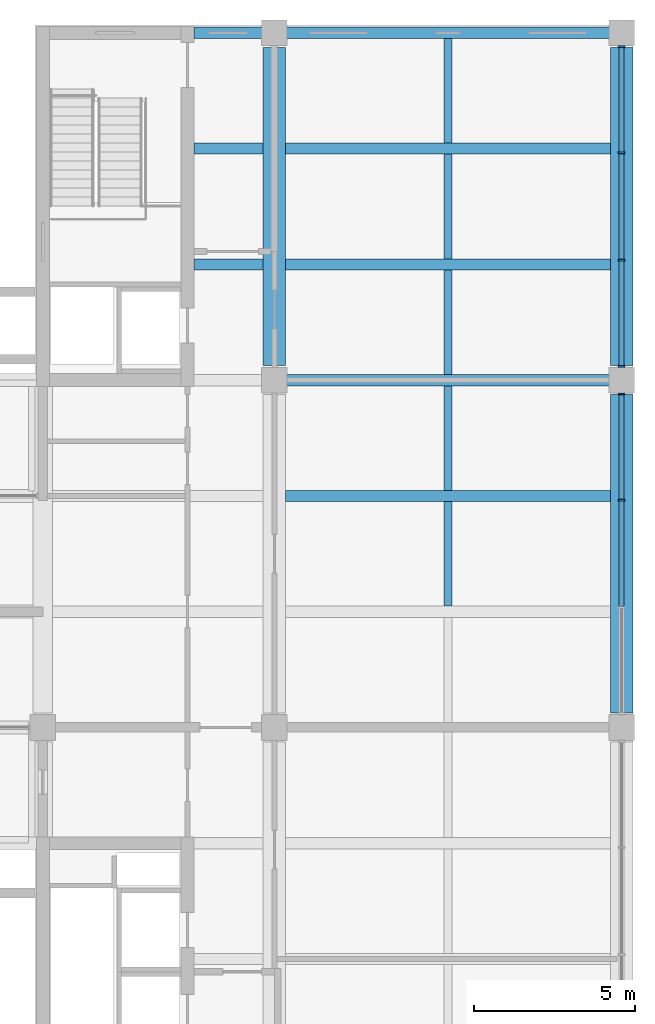
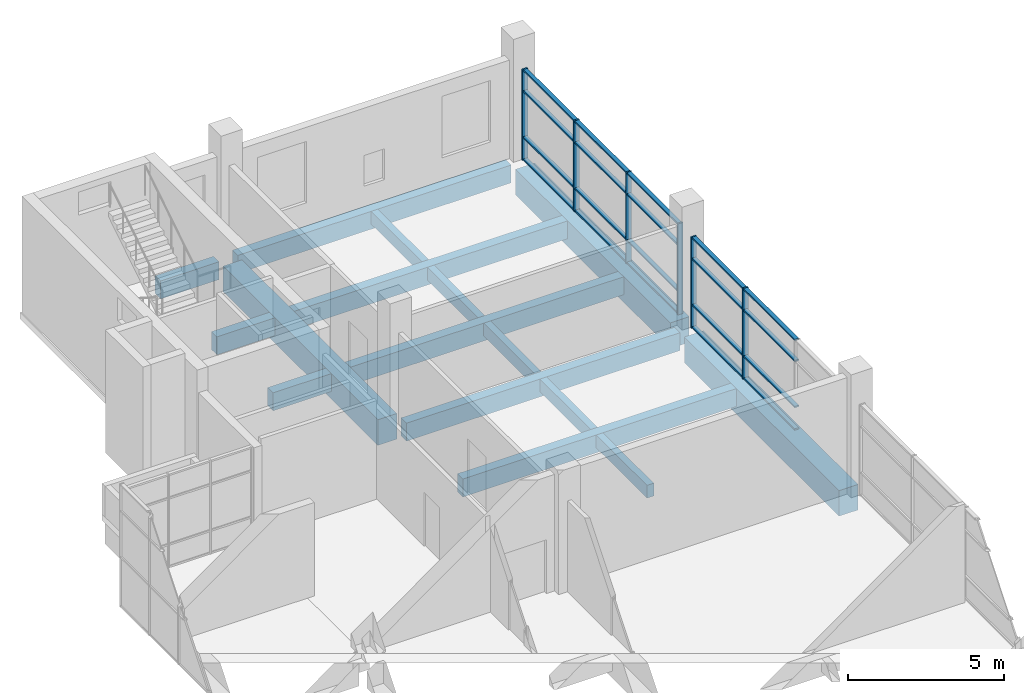
# One storey, part 7 of 14: 26 members, 16 beams, 2 elements without a shape of their own.
"""IFC4 building model written with IfcOpenShell, lengths in metres."""

import ifcopenshell
import ifcopenshell.guid

model = None  # the IFC model being written
_history = None  # IfcOwnerHistory: only IFC2X3 demands one
_inside = {}  # id of a spatial element -> (the spatial element, [elements in it])
_under = {}  # id of a project, library or spatial element -> (it, [spatial elements below it])
_declared = {}  # id of a project -> (the project, [libraries it declares])
_typed = {}  # id of a type object -> (the type object, [elements of that type])
_made_of = {}  # id of a material, layer set ... -> (it, [elements and type objects made of it])


def new_model(schema):
    """Start an empty IFC model of exactly this schema.

    Asked for "IFC4X3", IfcOpenShell would pick the latest addendum, in which some entities
    have other attributes; the version numbers below select the first issue.
    IFC2X3 requires an IfcOwnerHistory on every rooted entity: one is made here for all.
    """
    global model, _history
    if schema == "IFC4X3":
        model = ifcopenshell.file(schema_version=(4, 3, 0, 0))
    else:
        model = ifcopenshell.file(schema=schema)
    _inside.clear()
    _under.clear()
    _declared.clear()
    _typed.clear()
    _made_of.clear()
    _history = None
    if model.schema == "IFC2X3":
        org = make("IfcOrganization", Name="unknown")
        user = make(
            "IfcPersonAndOrganization",
            ThePerson=make("IfcPerson", FamilyName="unknown"),
            TheOrganization=org,
        )
        app = make(
            "IfcApplication",
            ApplicationDeveloper=org,
            Version="unknown",
            ApplicationFullName="unknown",
            ApplicationIdentifier="unknown",
        )
        _history = make(
            "IfcOwnerHistory",
            OwningUser=user,
            OwningApplication=app,
            ChangeAction="ADDED",
            CreationDate=0,
        )
    return model


def make(cls, **values):
    """One entity of the class cls with the attributes given. An attribute that is None is left unset."""
    return model.create_entity(
        cls, **{name: value for name, value in values.items() if value is not None}
    )


def rooted(cls, **values):
    """An entity with a GlobalId (a new one), such as an element, a storey or a relation."""
    return make(cls, GlobalId=ifcopenshell.guid.new(), OwnerHistory=_history, **values)


def si_unit(unit_type, name, prefix=None):
    """IfcSIUnit, for example si_unit("LENGTHUNIT", "METRE", prefix="MILLI")."""
    return make("IfcSIUnit", UnitType=unit_type, Prefix=prefix, Name=name)


def assignment(units):
    """IfcUnitAssignment: the units of a project."""
    return None if units is None else make("IfcUnitAssignment", Units=units)


def point(xyz):
    """IfcCartesianPoint."""
    return None if xyz is None else make("IfcCartesianPoint", Coordinates=xyz)


def direction(xyz):
    """IfcDirection."""
    return None if xyz is None else make("IfcDirection", DirectionRatios=xyz)


def frame(location, z_axis=None, x_axis=None):
    """IfcAxis2Placement3D, a coordinate frame: its origin and axes. An axis left out is left unset."""
    return make(
        "IfcAxis2Placement3D",
        Location=point(location),
        Axis=direction(z_axis),
        RefDirection=direction(x_axis),
    )


def frame_2d(location, x_axis=None):
    """IfcAxis2Placement2D, a coordinate frame in the plane: its origin and x axis."""
    return make(
        "IfcAxis2Placement2D", Location=point(location), RefDirection=direction(x_axis)
    )


def origin():
    """The frame at (0, 0, 0) with its axes left unset."""
    return frame((0.0, 0.0, 0.0))


def origin_2d():
    """The frame at (0, 0) in the plane with its x axis left unset."""
    return frame_2d((0.0, 0.0))


def place(relative_to, where):
    """IfcLocalPlacement: puts the frame where relative to a parent placement (None: the world)."""
    return make(
        "IfcLocalPlacement", PlacementRelTo=relative_to, RelativePlacement=where
    )


def context(
    kind, dimensions, precision=None, world=None, true_north=None, identifier=None
):
    """IfcGeometricRepresentationContext, for example the 3D "Model" context."""
    return make(
        "IfcGeometricRepresentationContext",
        ContextIdentifier=identifier,
        ContextType=kind,
        CoordinateSpaceDimension=dimensions,
        Precision=precision,
        WorldCoordinateSystem=world,
        TrueNorth=true_north,
    )


def subcontext(parent, identifier, kind, view, scale=None):
    """IfcGeometricRepresentationSubContext, for example "Body" below "Model"."""
    return make(
        "IfcGeometricRepresentationSubContext",
        ContextIdentifier=identifier,
        ContextType=kind,
        ParentContext=parent,
        TargetScale=scale,
        TargetView=view,
    )


def project(units=None, contexts=None):
    """IfcProject with its units and contexts."""
    return rooted(
        "IfcProject",
        Name="project",
        RepresentationContexts=contexts,
        UnitsInContext=assignment(units),
    )


def spatial(cls, under=None, at=None, **own):
    """A site, building, storey or space (cls), placed at a placement, below another one or the project."""
    s = rooted(cls, ObjectPlacement=at, **own)
    if under is not None:
        _under.setdefault(under.id(), (under, []))[1].append(s)
    return s


def profile(cls, at=None, kind="AREA", **sizes):
    """A parametric profile (cls). Its sizes go by their IFC names, for example OverallWidth=200.0."""
    return make(cls, ProfileType=kind, Position=at, **sizes)


def rectangle(**sizes):
    """IfcRectangleProfileDef."""
    return profile("IfcRectangleProfileDef", **sizes)


def extrude(swept, where, along, depth):
    """IfcExtrudedAreaSolid: the profile swept, set in the frame where, extruded along a direction by depth."""
    return make(
        "IfcExtrudedAreaSolid",
        SweptArea=swept,
        Position=where,
        ExtrudedDirection=direction(along),
        Depth=depth,
    )


def shape(context_of_items, identifier, shape_type, items):
    """IfcShapeRepresentation: the items that make up one representation, for example the "Body"."""
    return make(
        "IfcShapeRepresentation",
        ContextOfItems=context_of_items,
        RepresentationIdentifier=identifier,
        RepresentationType=shape_type,
        Items=items,
    )


def material(Name=None, Category=None):
    """IfcMaterial."""
    return make("IfcMaterial", Name=Name, Category=Category)


def layer(
    of_material, thickness, ventilated=None, Name=None, Category=None, Priority=None
):
    """IfcMaterialLayer: one layer of a wall or slab, of a material (None: an air gap)."""
    return make(
        "IfcMaterialLayer",
        Material=of_material,
        LayerThickness=thickness,
        IsVentilated=ventilated,
        Name=Name,
        Category=Category,
        Priority=Priority,
    )


def layer_set(layers, Name=None):
    """IfcMaterialLayerSet."""
    return make("IfcMaterialLayerSet", MaterialLayers=layers, LayerSetName=Name)


def material_profile(
    of_material, cross_section, Name=None, Category=None, Priority=None
):
    """IfcMaterialProfile: a cross section and its material."""
    return make(
        "IfcMaterialProfile",
        Name=Name,
        Material=of_material,
        Profile=cross_section,
        Priority=Priority,
        Category=Category,
    )


def profile_set(profiles, Name=None, composite=None):
    """IfcMaterialProfileSet."""
    return make(
        "IfcMaterialProfileSet",
        Name=Name,
        MaterialProfiles=profiles,
        CompositeProfile=composite,
    )


def made_of(thing, what):
    """Note that an element or type object is made of a material, layer set ...; save() writes the relation."""
    if what is not None:
        _made_of.setdefault(what.id(), (what, []))[1].append(thing)
    return thing


def type_object(cls, material=None, **own):
    """A type object (cls), such as IfcWallType, which elements share."""
    return made_of(rooted(cls, **own), material)


def element(
    cls,
    number,
    at=None,
    inside=None,
    cuts=None,
    type_object=None,
    material=None,
    context=None,
    identifier="Body",
    shape_type=None,
    held_by="IfcProductDefinitionShape",
    body=None,
    shapes=None,
    **own,
):
    """One element of the class cls, such as IfcWall. Its Tag is "e" and its number.

    at: its placement. inside: the storey or other place that contains it. cuts: it is an
    opening in that element (IfcRelVoidsElement). A single representation is given by context,
    identifier, shape_type and body (its items); several are given by shapes. held_by: the class
    of the entity that holds the representations. save() writes the other relations.
    """
    e = rooted(cls, Tag="e%d" % number, ObjectPlacement=at, **own)
    if body is not None:
        shapes = [shape(context, identifier, shape_type, body)]
    if shapes is not None:
        e.Representation = make(held_by, Representations=shapes)
    if inside is not None:
        _inside.setdefault(inside.id(), (inside, []))[1].append(e)
    if cuts is not None:
        rooted(
            "IfcRelVoidsElement", RelatingBuildingElement=cuts, RelatedOpeningElement=e
        )
    if type_object is not None:
        _typed.setdefault(type_object.id(), (type_object, []))[1].append(e)
    return made_of(e, material)


def aggregate(whole, parts):
    """IfcRelAggregates: a whole, such as a stair, and the parts it consists of."""
    return rooted("IfcRelAggregates", RelatingObject=whole, RelatedObjects=parts)


def save(model, path):
    """Write the relations noted so far, then the file.

    IfcRelAggregates (storeys below a building ...), IfcRelContainedInSpatialStructure (elements
    in a storey), IfcRelDefinesByType, IfcRelAssociatesMaterial and IfcRelDeclares: one each for
    every whole, place, type object, material and project.
    """
    for whole, parts in _under.values():
        aggregate(whole, parts)
    for where, things in _inside.values():
        rooted(
            "IfcRelContainedInSpatialStructure",
            RelatedElements=things,
            RelatingStructure=where,
        )
    for kind, things in _typed.values():
        rooted("IfcRelDefinesByType", RelatedObjects=things, RelatingType=kind)
    for what, things in _made_of.values():
        rooted("IfcRelAssociatesMaterial", RelatedObjects=things, RelatingMaterial=what)
    for by, libraries in _declared.values():
        rooted("IfcRelDeclares", RelatingContext=by, RelatedDefinitions=libraries)
    model.write(path)


model = new_model("IFC4")

# Units and contexts
model_context = context("Model", 3, precision=1e-05, world=origin(), true_north=direction((0.0, 1.0)))
body_context = subcontext(model_context, "Body", "Model", "MODEL_VIEW")
ifc_project = project(units=[si_unit("LENGTHUNIT", "METRE"), si_unit("AREAUNIT", "SQUARE_METRE"), si_unit("VOLUMEUNIT", "CUBIC_METRE"), si_unit("PLANEANGLEUNIT", "RADIAN"), si_unit("MASSUNIT", "GRAM", prefix="KILO")], contexts=[model_context])

# Site, building, storey
site_placement = place(None, origin())
site = spatial("IfcSite", under=ifc_project, at=site_placement, CompositionType="ELEMENT")
building_placement = place(site_placement, origin())
building = spatial("IfcBuilding", under=site, at=building_placement, Name="Basin Gate Institute", CompositionType="ELEMENT")
storey_placement = place(building_placement, frame((0.0, 0.0, 60.60009765625)))
storey = spatial("IfcBuildingStorey", under=building, at=storey_placement, Name="L12", CompositionType="ELEMENT", Elevation=60.60009765625)

# Beams
ifc_material_1 = material(Name="Concrete 40 MPa", Category="concrete")
ifc_material_profile_1 = material_profile(ifc_material_1, rectangle(XDim=0.35009765625, YDim=0.699951171875, at=origin_2d()), Name="Beam B1 350 x 700")
ifc_profile_set_1 = profile_set([ifc_material_profile_1], Name="Concrete 40 MPa")
beam_type_1 = type_object("IfcBeamType", Name="Beam B1 R120", PredefinedType="BEAM", material=ifc_profile_set_1)
for number, where, z_axis, x_axis, name in (
    (1, (68.75, 85.5, -0.60009765625), (1.0, 0.0, 0.0), (0.0, 1.0, 0.0), "BEAM/L12/W/EW/15"),
    (2, (68.75, 89.10009765625, -0.60009765625), (1.0, 0.0, 0.0), (0.0, 1.0, 0.0), "BEAM/L12/W/EW/16"),
    (3, (68.75, 92.699951171875, -0.60009765625), (1.0, 0.0, 0.0), (0.0, 1.0, 0.0), "BEAM/L12/W/EW/17"),
):
    element("IfcBeam", number, at=place(storey_placement, frame(where, z_axis=z_axis, x_axis=x_axis)), inside=storey, type_object=beam_type_1, material=ifc_profile_set_1, Name=name, PredefinedType="BEAM", context=body_context, shape_type="SweptSolid", body=[
        extrude(rectangle(XDim=0.35009765625, YDim=0.699951171875, at=origin_2d()), origin(), (0.0, 0.0, 1.0), 10.10009765625),
    ])
beam_1_placement = place(storey_placement, frame((65.89990234375, 92.699951171875, -0.60009765625), z_axis=(1.0, 0.0, 0.0), x_axis=(0.0, 1.0, 0.0)))
element("IfcBeam", 4, at=beam_1_placement, inside=storey, type_object=beam_type_1, material=ifc_profile_set_1, Name="BEAM/L12/W/CORR/17", PredefinedType="BEAM", context=body_context, shape_type="SweptSolid", body=[
    extrude(rectangle(XDim=0.35009765625, YDim=0.699951171875, at=origin_2d()), origin(), (0.0, 0.0, 1.0), 2.150146484375),
])
beam_2_placement = place(storey_placement, frame((68.75, 96.300048828125, -0.60009765625), z_axis=(1.0, 0.0, 0.0), x_axis=(0.0, 1.0, 0.0)))
element("IfcBeam", 5, at=beam_2_placement, inside=storey, type_object=beam_type_1, material=ifc_profile_set_1, Name="BEAM/L12/W/EW/18", PredefinedType="BEAM", context=body_context, shape_type="SweptSolid", body=[
    extrude(rectangle(XDim=0.35009765625, YDim=0.699951171875, at=origin_2d()), origin(), (0.0, 0.0, 1.0), 10.10009765625),
])
beam_3_placement = place(storey_placement, frame((65.89990234375, 96.300048828125, -0.60009765625), z_axis=(1.0, 0.0, 0.0), x_axis=(0.0, 1.0, 0.0)))
element("IfcBeam", 6, at=beam_3_placement, inside=storey, type_object=beam_type_1, material=ifc_profile_set_1, Name="BEAM/L12/W/CORR/18", PredefinedType="BEAM", context=body_context, shape_type="SweptSolid", body=[
    extrude(rectangle(XDim=0.35009765625, YDim=0.699951171875, at=origin_2d()), origin(), (0.0, 0.0, 1.0), 2.150146484375),
])
beam_4_placement = place(storey_placement, frame((68.75, 99.89990234375, -0.60009765625), z_axis=(1.0, 0.0, 0.0), x_axis=(0.0, 1.0, 0.0)))
element("IfcBeam", 7, at=beam_4_placement, inside=storey, type_object=beam_type_1, material=ifc_profile_set_1, Name="BEAM/L12/W/EW/19", PredefinedType="BEAM", context=body_context, shape_type="SweptSolid", body=[
    extrude(rectangle(XDim=0.35009765625, YDim=0.699951171875, at=origin_2d()), origin(), (0.0, 0.0, 1.0), 10.10009765625),
])
beam_5_placement = place(storey_placement, frame((65.89990234375, 99.89990234375, -0.60009765625), z_axis=(1.0, 0.0, 0.0), x_axis=(0.0, 1.0, 0.0)))
element("IfcBeam", 8, at=beam_5_placement, inside=storey, type_object=beam_type_1, material=ifc_profile_set_1, Name="BEAM/L12/W/CORR/19", PredefinedType="BEAM", context=body_context, shape_type="SweptSolid", body=[
    extrude(rectangle(XDim=0.35009765625, YDim=0.699951171875, at=origin_2d()), origin(), (0.0, 0.0, 1.0), 2.150146484375),
])
ifc_material_2 = material(Name="Concrete 50 MPa", Category="concrete")
ifc_material_profile_2 = material_profile(ifc_material_2, rectangle(XDim=0.699951171875, YDim=1.0, at=origin_2d()), Name="Girder G1 700 x 1000")
ifc_profile_set_2 = profile_set([ifc_material_profile_2], Name="Concrete 50 MPa")
beam_type_2 = type_object("IfcBeamType", Name="Girder G1 R120", PredefinedType="BEAM", material=ifc_profile_set_2)
for number, where, z_axis, x_axis, name in (
    (9, (68.39990234375, 89.550048828125, -0.75), (0.0, 1.0, 0.0), (-1.0, 0.0, 0.0), "GIR/L12/W5/6"),
    (10, (79.199951171875, 78.75, -0.75), (0.0, 1.0, 0.0), (-1.0, 0.0, 0.0), "GIR/L12/W6/5"),
    (11, (79.199951171875, 89.550048828125, -0.75), (0.0, 1.0, 0.0), (-1.0, 0.0, 0.0), "GIR/L12/W6/6"),
):
    element("IfcBeam", number, at=place(storey_placement, frame(where, z_axis=z_axis, x_axis=x_axis)), inside=storey, type_object=beam_type_2, material=ifc_profile_set_2, Name=name, PredefinedType="BEAM", context=body_context, shape_type="SweptSolid", body=[
        extrude(rectangle(XDim=0.699951171875, YDim=1.0, at=origin_2d()), origin(), (0.0, 0.0, 1.0), 9.89990234375),
    ])

# Curtain wall, members
ifc_material_3 = material(Name="Aluminium-framed glazing", Category="aluminium")
ifc_layer = layer(ifc_material_3, 0.199951171875)
ifc_layer_set = layer_set([ifc_layer], Name="Atrium curtain wall CW2")
curtain_wall_type = type_object("IfcCurtainWallType", Name="Atrium curtain wall CW2", PredefinedType="NOTDEFINED", material=ifc_layer_set)
curtain_wall_1_placement = place(storey_placement, origin())
curtain_wall_1 = element("IfcCurtainWall", 12, at=curtain_wall_1_placement, inside=storey, type_object=curtain_wall_type, material=ifc_layer_set, Name="Atrium curtain wall W wing atrium bay 5 L12", PredefinedType="NOTDEFINED")
ifc_material_4 = material(Name="Aluminium", Category="aluminium")
ifc_material_profile_3 = material_profile(ifc_material_4, rectangle(XDim=0.199951171875, YDim=0.06005859375, at=origin_2d()), Name="Mullion MU2 200 x 60")
ifc_profile_set_3 = profile_set([ifc_material_profile_3], Name="Aluminium")
member_type_1 = type_object("IfcMemberType", Name="Mullion MU2", PredefinedType="MULLION", material=ifc_profile_set_3)
member_1_placement = place(storey_placement, frame((79.199951171875, 85.36669921875, 0.0), z_axis=(0.0, 0.0, 1.0), x_axis=(-1.0, 0.0, 0.0)))
member_1 = element("IfcMember", 13, at=member_1_placement, type_object=member_type_1, material=ifc_profile_set_3, Name="CW2 mullion 3", PredefinedType="MULLION", context=body_context, shape_type="SweptSolid", body=[
    extrude(rectangle(XDim=0.199951171875, YDim=0.06005859375, at=origin_2d()), origin(), (0.0, 0.0, 1.0), 3.5498046875),
])
member_2_placement = place(storey_placement, frame((79.199951171875, 88.669921875, 0.0), z_axis=(0.0, 0.0, 1.0), x_axis=(-1.0, 0.0, 0.0)))
member_2 = element("IfcMember", 14, at=member_2_placement, type_object=member_type_1, material=ifc_profile_set_3, Name="CW2 mullion 4", PredefinedType="MULLION", context=body_context, shape_type="SweptSolid", body=[
    extrude(rectangle(XDim=0.199951171875, YDim=0.06005859375, at=origin_2d()), origin(), (0.0, 0.0, 1.0), 3.5498046875),
])

curtain_wall_2_placement = place(storey_placement, origin())
curtain_wall_2 = element("IfcCurtainWall", 15, at=curtain_wall_2_placement, inside=storey, type_object=curtain_wall_type, material=ifc_layer_set, Name="Atrium curtain wall W wing atrium bay 6 L12", PredefinedType="NOTDEFINED")
member_3_placement = place(storey_placement, frame((79.199951171875, 89.530029296875, 0.0), z_axis=(0.0, 0.0, 1.0), x_axis=(-1.0, 0.0, 0.0)))
member_3 = element("IfcMember", 16, at=member_3_placement, type_object=member_type_1, material=ifc_profile_set_3, Name="CW2 mullion 1", PredefinedType="MULLION", context=body_context, shape_type="SweptSolid", body=[
    extrude(rectangle(XDim=0.199951171875, YDim=0.06005859375, at=origin_2d()), origin(), (0.0, 0.0, 1.0), 3.5498046875),
])
member_4_placement = place(storey_placement, frame((79.199951171875, 92.833251953125, 0.0), z_axis=(0.0, 0.0, 1.0), x_axis=(-1.0, 0.0, 0.0)))
member_4 = element("IfcMember", 17, at=member_4_placement, type_object=member_type_1, material=ifc_profile_set_3, Name="CW2 mullion 2", PredefinedType="MULLION", context=body_context, shape_type="SweptSolid", body=[
    extrude(rectangle(XDim=0.199951171875, YDim=0.06005859375, at=origin_2d()), origin(), (0.0, 0.0, 1.0), 3.5498046875),
])
member_5_placement = place(storey_placement, frame((79.199951171875, 96.166748046875, 0.0), z_axis=(0.0, 0.0, 1.0), x_axis=(-1.0, 0.0, 0.0)))
member_5 = element("IfcMember", 18, at=member_5_placement, type_object=member_type_1, material=ifc_profile_set_3, Name="CW2 mullion 3", PredefinedType="MULLION", context=body_context, shape_type="SweptSolid", body=[
    extrude(rectangle(XDim=0.199951171875, YDim=0.06005859375, at=origin_2d()), origin(), (0.0, 0.0, 1.0), 3.5498046875),
])
member_6_placement = place(storey_placement, frame((79.199951171875, 99.469970703125, 0.0), z_axis=(0.0, 0.0, 1.0), x_axis=(-1.0, 0.0, 0.0)))
member_6 = element("IfcMember", 19, at=member_6_placement, type_object=member_type_1, material=ifc_profile_set_3, Name="CW2 mullion 4", PredefinedType="MULLION", context=body_context, shape_type="SweptSolid", body=[
    extrude(rectangle(XDim=0.199951171875, YDim=0.06005859375, at=origin_2d()), origin(), (0.0, 0.0, 1.0), 3.5498046875),
])

# Beams
ifc_material_5 = material(Name="Concrete 40 MPa", Category="concrete")
ifc_material_profile_4 = material_profile(ifc_material_5, rectangle(XDim=0.25, YDim=0.5, at=origin_2d()), Name="Rib R1 250 x 500")
ifc_profile_set_4 = profile_set([ifc_material_profile_4], Name="Concrete 40 MPa")
beam_type_3 = type_object("IfcBeamType", Name="Rib R1 R120", PredefinedType="JOIST", material=ifc_profile_set_4)
for number, where, z_axis, x_axis, name in (
    (20, (73.800048828125, 82.074951171875, -0.5), (0.0, 1.0, 0.0), (-1.0, 0.0, 0.0), "BEAM/L12/W/RIB/14"),
    (21, (73.800048828125, 85.675048828125, -0.5), (0.0, 1.0, 0.0), (-1.0, 0.0, 0.0), "BEAM/L12/W/RIB/15"),
    (22, (73.800048828125, 89.27490234375, -0.5), (0.0, 1.0, 0.0), (-1.0, 0.0, 0.0), "BEAM/L12/W/RIB/16"),
    (23, (73.800048828125, 92.875, -0.5), (0.0, 1.0, 0.0), (-1.0, 0.0, 0.0), "BEAM/L12/W/RIB/17"),
    (24, (73.800048828125, 96.47509765625, -0.5), (0.0, 1.0, 0.0), (-1.0, 0.0, 0.0), "BEAM/L12/W/RIB/18"),
):
    element("IfcBeam", number, at=place(storey_placement, frame(where, z_axis=z_axis, x_axis=x_axis)), inside=storey, type_object=beam_type_3, material=ifc_profile_set_4, Name=name, PredefinedType="JOIST", context=body_context, shape_type="SweptSolid", body=[
        extrude(rectangle(XDim=0.25, YDim=0.5, at=origin_2d()), origin(), (0.0, 0.0, 1.0), 3.25),
    ])

# Member
ifc_material_6 = material(Name="Aluminium", Category="aluminium")
ifc_material_profile_5 = material_profile(ifc_material_6, rectangle(XDim=0.14990234375, YDim=0.06005859375, at=origin_2d()), Name="Transom TR2 150 x 60")
ifc_profile_set_5 = profile_set([ifc_material_profile_5], Name="Aluminium")
member_type_2 = type_object("IfcMemberType", Name="Transom TR2", PredefinedType="USERDEFINED", material=ifc_profile_set_5)
member_7_placement = place(storey_placement, frame((79.199951171875, 82.063232421875, 0.02978515625), z_axis=(0.0, 1.0, 0.0), x_axis=(-1.0, 0.0, 0.0)))
member_7 = element("IfcMember", 25, at=member_7_placement, type_object=member_type_2, material=ifc_profile_set_5, Name="CW2 transom 2.1", ObjectType="TRANSOM", PredefinedType="USERDEFINED", context=body_context, shape_type="SweptSolid", body=[
    extrude(rectangle(XDim=0.14990234375, YDim=0.06005859375, at=origin_2d()), origin(), (0.0, 0.0, 1.0), 3.2734375),
])

member_8_placement = place(storey_placement, frame((79.199951171875, 82.063232421875, 0.89990234375), z_axis=(0.0, 1.0, 0.0), x_axis=(-1.0, 0.0, 0.0)))
member_8 = element("IfcMember", 26, at=member_8_placement, type_object=member_type_2, material=ifc_profile_set_5, Name="CW2 transom 2.2", ObjectType="TRANSOM", PredefinedType="USERDEFINED", context=body_context, shape_type="SweptSolid", body=[
    extrude(rectangle(XDim=0.14990234375, YDim=0.06005859375, at=origin_2d()), origin(), (0.0, 0.0, 1.0), 3.2734375),
])

member_9_placement = place(storey_placement, frame((79.199951171875, 82.063232421875, 2.699951171875), z_axis=(0.0, 1.0, 0.0), x_axis=(-1.0, 0.0, 0.0)))
member_9 = element("IfcMember", 27, at=member_9_placement, type_object=member_type_2, material=ifc_profile_set_5, Name="CW2 transom 2.3", ObjectType="TRANSOM", PredefinedType="USERDEFINED", context=body_context, shape_type="SweptSolid", body=[
    extrude(rectangle(XDim=0.14990234375, YDim=0.06005859375, at=origin_2d()), origin(), (0.0, 0.0, 1.0), 3.2734375),
])

member_10_placement = place(storey_placement, frame((79.199951171875, 82.063232421875, 3.52001953125), z_axis=(0.0, 1.0, 0.0), x_axis=(-1.0, 0.0, 0.0)))
member_10 = element("IfcMember", 28, at=member_10_placement, type_object=member_type_2, material=ifc_profile_set_5, Name="CW2 transom 2.4", ObjectType="TRANSOM", PredefinedType="USERDEFINED", context=body_context, shape_type="SweptSolid", body=[
    extrude(rectangle(XDim=0.14990234375, YDim=0.06005859375, at=origin_2d()), origin(), (0.0, 0.0, 1.0), 3.2734375),
])

member_11_placement = place(storey_placement, frame((79.199951171875, 85.396728515625, 0.02978515625), z_axis=(0.0, 1.0, 0.0), x_axis=(-1.0, 0.0, 0.0)))
member_11 = element("IfcMember", 29, at=member_11_placement, type_object=member_type_2, material=ifc_profile_set_5, Name="CW2 transom 3.1", ObjectType="TRANSOM", PredefinedType="USERDEFINED", context=body_context, shape_type="SweptSolid", body=[
    extrude(rectangle(XDim=0.14990234375, YDim=0.06005859375, at=origin_2d()), origin(), (0.0, 0.0, 1.0), 3.2431640625),
])

member_12_placement = place(storey_placement, frame((79.199951171875, 85.396728515625, 0.89990234375), z_axis=(0.0, 1.0, 0.0), x_axis=(-1.0, 0.0, 0.0)))
member_12 = element("IfcMember", 30, at=member_12_placement, type_object=member_type_2, material=ifc_profile_set_5, Name="CW2 transom 3.2", ObjectType="TRANSOM", PredefinedType="USERDEFINED", context=body_context, shape_type="SweptSolid", body=[
    extrude(rectangle(XDim=0.14990234375, YDim=0.06005859375, at=origin_2d()), origin(), (0.0, 0.0, 1.0), 3.2431640625),
])

member_13_placement = place(storey_placement, frame((79.199951171875, 85.396728515625, 2.699951171875), z_axis=(0.0, 1.0, 0.0), x_axis=(-1.0, 0.0, 0.0)))
member_13 = element("IfcMember", 31, at=member_13_placement, type_object=member_type_2, material=ifc_profile_set_5, Name="CW2 transom 3.3", ObjectType="TRANSOM", PredefinedType="USERDEFINED", context=body_context, shape_type="SweptSolid", body=[
    extrude(rectangle(XDim=0.14990234375, YDim=0.06005859375, at=origin_2d()), origin(), (0.0, 0.0, 1.0), 3.2431640625),
])

member_14_placement = place(storey_placement, frame((79.199951171875, 85.396728515625, 3.52001953125), z_axis=(0.0, 1.0, 0.0), x_axis=(-1.0, 0.0, 0.0)))
member_14 = element("IfcMember", 32, at=member_14_placement, type_object=member_type_2, material=ifc_profile_set_5, Name="CW2 transom 3.4", ObjectType="TRANSOM", PredefinedType="USERDEFINED", context=body_context, shape_type="SweptSolid", body=[
    extrude(rectangle(XDim=0.14990234375, YDim=0.06005859375, at=origin_2d()), origin(), (0.0, 0.0, 1.0), 3.2431640625),
])

aggregate(curtain_wall_1, [member_1, member_2, member_7, member_8, member_9, member_10, member_11, member_12, member_13, member_14])

member_15_placement = place(storey_placement, frame((79.199951171875, 89.56005859375, 0.02978515625), z_axis=(0.0, 1.0, 0.0), x_axis=(-1.0, 0.0, 0.0)))
member_15 = element("IfcMember", 33, at=member_15_placement, type_object=member_type_2, material=ifc_profile_set_5, Name="CW2 transom 1.1", ObjectType="TRANSOM", PredefinedType="USERDEFINED", context=body_context, shape_type="SweptSolid", body=[
    extrude(rectangle(XDim=0.14990234375, YDim=0.06005859375, at=origin_2d()), origin(), (0.0, 0.0, 1.0), 3.2431640625),
])

member_16_placement = place(storey_placement, frame((79.199951171875, 89.56005859375, 0.89990234375), z_axis=(0.0, 1.0, 0.0), x_axis=(-1.0, 0.0, 0.0)))
member_16 = element("IfcMember", 34, at=member_16_placement, type_object=member_type_2, material=ifc_profile_set_5, Name="CW2 transom 1.2", ObjectType="TRANSOM", PredefinedType="USERDEFINED", context=body_context, shape_type="SweptSolid", body=[
    extrude(rectangle(XDim=0.14990234375, YDim=0.06005859375, at=origin_2d()), origin(), (0.0, 0.0, 1.0), 3.2431640625),
])

member_17_placement = place(storey_placement, frame((79.199951171875, 89.56005859375, 2.699951171875), z_axis=(0.0, 1.0, 0.0), x_axis=(-1.0, 0.0, 0.0)))
member_17 = element("IfcMember", 35, at=member_17_placement, type_object=member_type_2, material=ifc_profile_set_5, Name="CW2 transom 1.3", ObjectType="TRANSOM", PredefinedType="USERDEFINED", context=body_context, shape_type="SweptSolid", body=[
    extrude(rectangle(XDim=0.14990234375, YDim=0.06005859375, at=origin_2d()), origin(), (0.0, 0.0, 1.0), 3.2431640625),
])

member_18_placement = place(storey_placement, frame((79.199951171875, 89.56005859375, 3.52001953125), z_axis=(0.0, 1.0, 0.0), x_axis=(-1.0, 0.0, 0.0)))
member_18 = element("IfcMember", 36, at=member_18_placement, type_object=member_type_2, material=ifc_profile_set_5, Name="CW2 transom 1.4", ObjectType="TRANSOM", PredefinedType="USERDEFINED", context=body_context, shape_type="SweptSolid", body=[
    extrude(rectangle(XDim=0.14990234375, YDim=0.06005859375, at=origin_2d()), origin(), (0.0, 0.0, 1.0), 3.2431640625),
])

member_19_placement = place(storey_placement, frame((79.199951171875, 92.86328125, 0.02978515625), z_axis=(0.0, 1.0, 0.0), x_axis=(-1.0, 0.0, 0.0)))
member_19 = element("IfcMember", 37, at=member_19_placement, type_object=member_type_2, material=ifc_profile_set_5, Name="CW2 transom 2.1", ObjectType="TRANSOM", PredefinedType="USERDEFINED", context=body_context, shape_type="SweptSolid", body=[
    extrude(rectangle(XDim=0.14990234375, YDim=0.06005859375, at=origin_2d()), origin(), (0.0, 0.0, 1.0), 3.2734375),
])

member_20_placement = place(storey_placement, frame((79.199951171875, 92.86328125, 0.89990234375), z_axis=(0.0, 1.0, 0.0), x_axis=(-1.0, 0.0, 0.0)))
member_20 = element("IfcMember", 38, at=member_20_placement, type_object=member_type_2, material=ifc_profile_set_5, Name="CW2 transom 2.2", ObjectType="TRANSOM", PredefinedType="USERDEFINED", context=body_context, shape_type="SweptSolid", body=[
    extrude(rectangle(XDim=0.14990234375, YDim=0.06005859375, at=origin_2d()), origin(), (0.0, 0.0, 1.0), 3.2734375),
])

member_21_placement = place(storey_placement, frame((79.199951171875, 92.86328125, 2.699951171875), z_axis=(0.0, 1.0, 0.0), x_axis=(-1.0, 0.0, 0.0)))
member_21 = element("IfcMember", 39, at=member_21_placement, type_object=member_type_2, material=ifc_profile_set_5, Name="CW2 transom 2.3", ObjectType="TRANSOM", PredefinedType="USERDEFINED", context=body_context, shape_type="SweptSolid", body=[
    extrude(rectangle(XDim=0.14990234375, YDim=0.06005859375, at=origin_2d()), origin(), (0.0, 0.0, 1.0), 3.2734375),
])

member_22_placement = place(storey_placement, frame((79.199951171875, 92.86328125, 3.52001953125), z_axis=(0.0, 1.0, 0.0), x_axis=(-1.0, 0.0, 0.0)))
member_22 = element("IfcMember", 40, at=member_22_placement, type_object=member_type_2, material=ifc_profile_set_5, Name="CW2 transom 2.4", ObjectType="TRANSOM", PredefinedType="USERDEFINED", context=body_context, shape_type="SweptSolid", body=[
    extrude(rectangle(XDim=0.14990234375, YDim=0.06005859375, at=origin_2d()), origin(), (0.0, 0.0, 1.0), 3.2734375),
])

member_23_placement = place(storey_placement, frame((79.199951171875, 96.19677734375, 0.02978515625), z_axis=(0.0, 1.0, 0.0), x_axis=(-1.0, 0.0, 0.0)))
member_23 = element("IfcMember", 41, at=member_23_placement, type_object=member_type_2, material=ifc_profile_set_5, Name="CW2 transom 3.1", ObjectType="TRANSOM", PredefinedType="USERDEFINED", context=body_context, shape_type="SweptSolid", body=[
    extrude(rectangle(XDim=0.14990234375, YDim=0.06005859375, at=origin_2d()), origin(), (0.0, 0.0, 1.0), 3.2431640625),
])

member_24_placement = place(storey_placement, frame((79.199951171875, 96.19677734375, 0.89990234375), z_axis=(0.0, 1.0, 0.0), x_axis=(-1.0, 0.0, 0.0)))
member_24 = element("IfcMember", 42, at=member_24_placement, type_object=member_type_2, material=ifc_profile_set_5, Name="CW2 transom 3.2", ObjectType="TRANSOM", PredefinedType="USERDEFINED", context=body_context, shape_type="SweptSolid", body=[
    extrude(rectangle(XDim=0.14990234375, YDim=0.06005859375, at=origin_2d()), origin(), (0.0, 0.0, 1.0), 3.2431640625),
])

member_25_placement = place(storey_placement, frame((79.199951171875, 96.19677734375, 2.699951171875), z_axis=(0.0, 1.0, 0.0), x_axis=(-1.0, 0.0, 0.0)))
member_25 = element("IfcMember", 43, at=member_25_placement, type_object=member_type_2, material=ifc_profile_set_5, Name="CW2 transom 3.3", ObjectType="TRANSOM", PredefinedType="USERDEFINED", context=body_context, shape_type="SweptSolid", body=[
    extrude(rectangle(XDim=0.14990234375, YDim=0.06005859375, at=origin_2d()), origin(), (0.0, 0.0, 1.0), 3.2431640625),
])

member_26_placement = place(storey_placement, frame((79.199951171875, 96.19677734375, 3.52001953125), z_axis=(0.0, 1.0, 0.0), x_axis=(-1.0, 0.0, 0.0)))
member_26 = element("IfcMember", 44, at=member_26_placement, type_object=member_type_2, material=ifc_profile_set_5, Name="CW2 transom 3.4", ObjectType="TRANSOM", PredefinedType="USERDEFINED", context=body_context, shape_type="SweptSolid", body=[
    extrude(rectangle(XDim=0.14990234375, YDim=0.06005859375, at=origin_2d()), origin(), (0.0, 0.0, 1.0), 3.2431640625),
])

aggregate(curtain_wall_2, [member_3, member_4, member_5, member_6, member_15, member_16, member_17, member_18, member_19, member_20, member_21, member_22, member_23, member_24, member_25, member_26])

save(model, "model.ifc")
